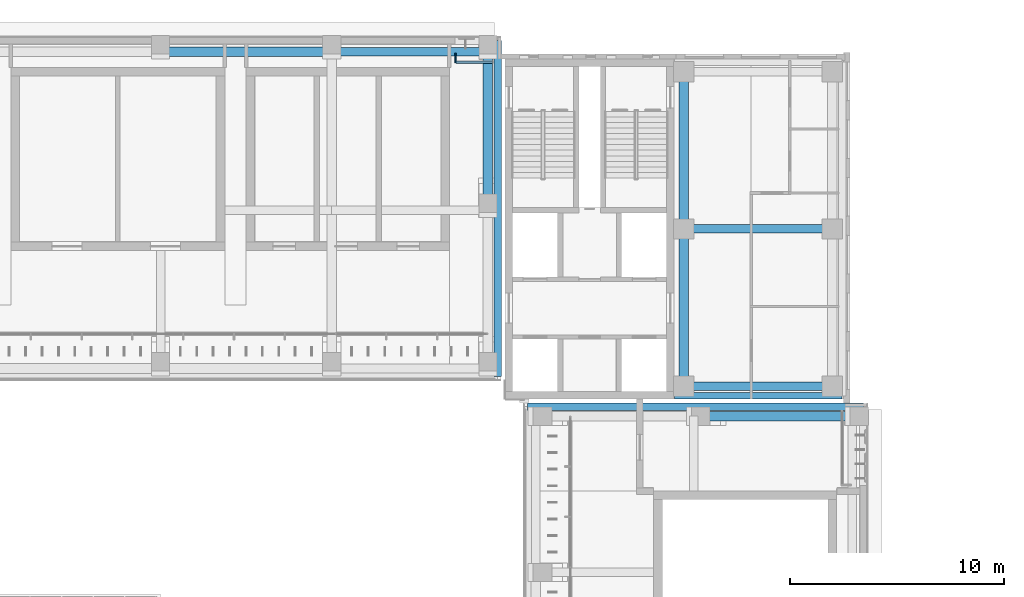
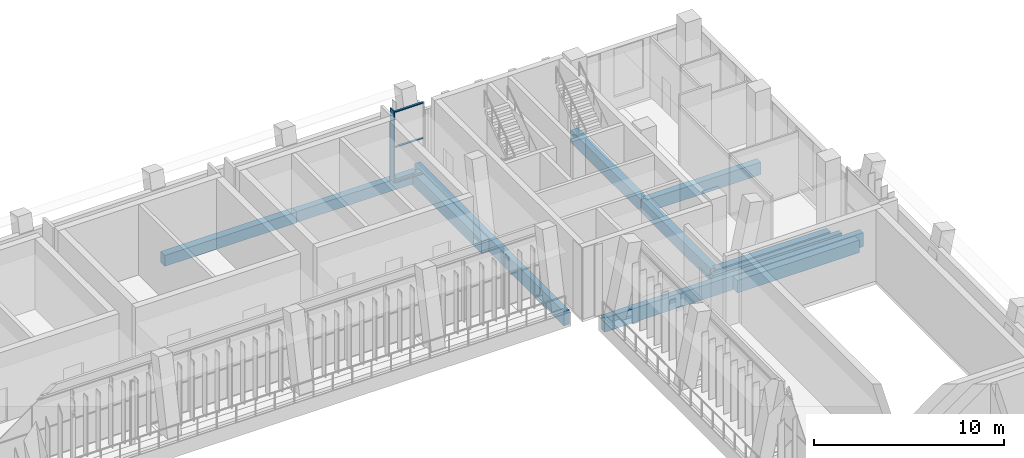
# One storey, part 48 of 92: 11 beams, 4 members, 1 element without a shape of its own.
"""IFC4 building model written with IfcOpenShell, lengths in metres."""

from ifc_helpers import new_model, si_unit, direction, frame, origin, origin_2d, place, context, subcontext, project, spatial, rectangle, extrude, material, material_profile, profile_set, type_object, element, aggregate, save


model = new_model("IFC4")

# Units and contexts
model_context = context("Model", 3, precision=1e-05, world=origin(), true_north=direction((0.0, 1.0)))
body_context = subcontext(model_context, "Body", "Model", "MODEL_VIEW")
ifc_project = project(units=[si_unit("LENGTHUNIT", "METRE"), si_unit("AREAUNIT", "SQUARE_METRE"), si_unit("VOLUMEUNIT", "CUBIC_METRE"), si_unit("PLANEANGLEUNIT", "RADIAN"), si_unit("MASSUNIT", "GRAM", prefix="KILO")], contexts=[model_context])

# Site, building, storey
site_placement = place(None, origin())
site = spatial("IfcSite", under=ifc_project, at=site_placement, CompositionType="ELEMENT")
building_placement = place(site_placement, origin())
building = spatial("IfcBuilding", under=site, at=building_placement, Name="Lantern Court Media Centre", CompositionType="ELEMENT")
storey_placement = place(building_placement, frame((0.0, 0.0, 4.800048828125)))
storey = spatial("IfcBuildingStorey", under=building, at=storey_placement, Name="L01", CompositionType="ELEMENT", Elevation=4.800048828125)

# Curtain wall, members
ifc_material_1 = material(Name="Curtain wall bay 3000")
curtain_wall_type = type_object("IfcCurtainWallType", Name="Curtain wall bay 3000", PredefinedType="NOTDEFINED", material=ifc_material_1)
curtain_wall_placement = place(storey_placement, origin())
curtain_wall = element("IfcCurtainWall", 1, at=curtain_wall_placement, inside=storey, type_object=curtain_wall_type, Name="Curtain wall N outer L01", PredefinedType="NOTDEFINED")
ifc_material_2 = material(Name="Anodised aluminium", Category="aluminium")
ifc_material_profile_1 = material_profile(ifc_material_2, rectangle(XDim=0.449951171875, YDim=0.06005859375, at=origin_2d()), Name="AL 60x450")
ifc_profile_set_1 = profile_set([ifc_material_profile_1], Name="Anodised aluminium")
member_type_1 = type_object("IfcMemberType", Name="Curtain wall mullion 60x450", PredefinedType="MULLION", material=ifc_profile_set_1)
member_1_placement = place(storey_placement, frame((77.780029296875, 112.044921875, 0.0), z_axis=(0.0, 0.0, 1.0), x_axis=(0.0, 1.0, 0.0)))
member_1 = element("IfcMember", 2, at=member_1_placement, type_object=member_type_1, Name="CW1 mullion 1", PredefinedType="MULLION", context=body_context, shape_type="SweptSolid", body=[
    extrude(rectangle(XDim=0.449951171875, YDim=0.06005859375, at=origin_2d()), origin(), (0.0, 0.0, 1.0), 4.579833984375),
])
ifc_material_profile_2 = material_profile(ifc_material_2, rectangle(XDim=0.1201171875, YDim=0.06005859375, at=origin_2d()), Name="AL 60x120")
ifc_profile_set_2 = profile_set([ifc_material_profile_2], Name="Anodised aluminium")
member_type_2 = type_object("IfcMemberType", Name="Curtain wall transom 60x120", PredefinedType="USERDEFINED", material=ifc_profile_set_2)
member_2_placement = place(storey_placement, frame((77.81005859375, 111.85009765625, 0.030029296875), z_axis=(1.0, 0.0, 0.0), x_axis=(0.0, 1.0, 0.0)))
member_2 = element("IfcMember", 3, at=member_2_placement, type_object=member_type_2, Name="CW1 transom 1.1", ObjectType="TRANSOM", PredefinedType="USERDEFINED", context=body_context, shape_type="SweptSolid", body=[
    extrude(rectangle(XDim=0.1201171875, YDim=0.06005859375, at=origin_2d()), origin(), (0.0, 0.0, 1.0), 1.7099609375),
])
member_3_placement = place(storey_placement, frame((77.81005859375, 111.85009765625, 2.2900390625), z_axis=(1.0, 0.0, 0.0), x_axis=(0.0, 1.0, 0.0)))
member_3 = element("IfcMember", 4, at=member_3_placement, type_object=member_type_2, Name="CW1 transom 1.2", ObjectType="TRANSOM", PredefinedType="USERDEFINED", context=body_context, shape_type="SweptSolid", body=[
    extrude(rectangle(XDim=0.1201171875, YDim=0.06005859375, at=origin_2d()), origin(), (0.0, 0.0, 1.0), 1.7099609375),
])
member_4_placement = place(storey_placement, frame((77.81005859375, 111.85009765625, 4.550048828125), z_axis=(1.0, 0.0, 0.0), x_axis=(0.0, 1.0, 0.0)))
member_4 = element("IfcMember", 5, at=member_4_placement, type_object=member_type_2, Name="CW1 transom 1.3", ObjectType="TRANSOM", PredefinedType="USERDEFINED", context=body_context, shape_type="SweptSolid", body=[
    extrude(rectangle(XDim=0.1201171875, YDim=0.06005859375, at=origin_2d()), origin(), (0.0, 0.0, 1.0), 1.7099609375),
])
aggregate(curtain_wall, [member_1, member_2, member_3, member_4])

# Beams
ifc_material_3 = material(Name="Concrete C35", Category="concrete")
ifc_material_profile_3 = material_profile(ifc_material_3, rectangle(XDim=0.300048828125, YDim=0.89990234375, at=origin_2d()), Name="RC 300x900")
ifc_profile_set_3 = profile_set([ifc_material_profile_3], Name="Concrete C35")
beam_type_1 = type_object("IfcBeamType", Name="RC BEAM 300x900", PredefinedType="BEAM", material=ifc_profile_set_3)
beam_1_placement = place(storey_placement, frame((88.02001953125, 96.25, -0.449951171875), z_axis=(1.0, 0.0, 0.0), x_axis=(0.0, 1.0, 0.0)))
element("IfcBeam", 6, at=beam_1_placement, inside=storey, type_object=beam_type_1, Name="EB-NE-L01-S", PredefinedType="BEAM", context=body_context, shape_type="SweptSolid", body=[
    extrude(rectangle(XDim=0.300048828125, YDim=0.89990234375, at=origin_2d()), origin(), (0.0, 0.0, 1.0), 7.830078125),
])
ifc_material_profile_4 = material_profile(ifc_material_3, rectangle(XDim=0.35009765625, YDim=0.89990234375, at=origin_2d()), Name="RC 350x900")
ifc_profile_set_4 = profile_set([ifc_material_profile_4], Name="Concrete C35")
beam_type_2 = type_object("IfcBeamType", Name="RC BEAM 350x900", PredefinedType="BEAM", material=ifc_profile_set_4)
for number, where, z_axis, x_axis, name in (
    (7, (79.75, 97.14990234375, -0.449951171875), (0.0, 1.0, 0.0), (-1.0, 0.0, 0.0), "EB-N-L01-D"),
    (8, (81.14990234375, 95.75, -0.449951171875), (1.0, 0.0, 0.0), (0.0, 1.0, 0.0), "EB-E-L01-D"),
):
    element("IfcBeam", number, at=place(storey_placement, frame(where, z_axis=z_axis, x_axis=x_axis)), inside=storey, type_object=beam_type_2, Name=name, PredefinedType="BEAM", context=body_context, shape_type="SweptSolid", body=[
        extrude(rectangle(XDim=0.35009765625, YDim=0.89990234375, at=origin_2d()), origin(), (0.0, 0.0, 1.0), 15.7001953125),
    ])
ifc_material_profile_5 = material_profile(ifc_material_3, rectangle(XDim=0.39990234375, YDim=0.699951171875, at=origin_2d()), Name="RC 400x700")
ifc_profile_set_5 = profile_set([ifc_material_profile_5], Name="Concrete C35")
beam_type_3 = type_object("IfcBeamType", Name="RC BEAM 400x700", PredefinedType="BEAM", material=ifc_profile_set_5)
beam_2_placement = place(storey_placement, frame((72.0, 112.3271484375, -0.35009765625), z_axis=(1.0, 0.0, 0.0), x_axis=(0.0, 1.0, 0.0)))
element("IfcBeam", 9, at=beam_2_placement, inside=storey, type_object=beam_type_3, Name="LB-N-L01-2-6", PredefinedType="BEAM", context=body_context, shape_type="SweptSolid", body=[
    extrude(rectangle(XDim=0.39990234375, YDim=0.699951171875, at=origin_2d()), origin(), (0.0, 0.0, 1.0), 7.300048828125),
])
ifc_material_profile_6 = material_profile(ifc_material_3, rectangle(XDim=0.39990234375, YDim=0.800048828125, at=origin_2d()), Name="RC 400x800")
ifc_profile_set_6 = profile_set([ifc_material_profile_6], Name="Concrete C35")
beam_type_4 = type_object("IfcBeamType", Name="RC BEAM 400x800", PredefinedType="BEAM", material=ifc_profile_set_6)
for number, where, z_axis, x_axis, name in (
    (10, (88.449951171875, 96.699951171875, -0.400146484375), (1.0, 0.0, 0.0), (0.0, 1.0, 0.0), "BB-NE-L01-Y0-96"),
    (11, (88.449951171875, 104.050048828125, -0.400146484375), (1.0, 0.0, 0.0), (0.0, 1.0, 0.0), "BB-NE-L01-Y0-104"),
):
    element("IfcBeam", number, at=place(storey_placement, frame(where, z_axis=z_axis, x_axis=x_axis)), inside=storey, type_object=beam_type_4, Name=name, PredefinedType="BEAM", context=body_context, shape_type="SweptSolid", body=[
        extrude(rectangle(XDim=0.39990234375, YDim=0.800048828125, at=origin_2d()), origin(), (0.0, 0.0, 1.0), 6.949951171875),
    ])
ifc_material_profile_7 = material_profile(ifc_material_3, rectangle(XDim=0.449951171875, YDim=0.699951171875, at=origin_2d()), Name="RC 450x700")
ifc_profile_set_7 = profile_set([ifc_material_profile_7], Name="Concrete C35")
beam_type_5 = type_object("IfcBeamType", Name="RC BEAM 450x700", PredefinedType="BEAM", material=ifc_profile_set_7)
beam_3_placement = place(storey_placement, frame((64.0, 112.3271484375, -0.35009765625), z_axis=(1.0, 0.0, 0.0), x_axis=(0.0, 1.0, 0.0)))
element("IfcBeam", 12, at=beam_3_placement, inside=storey, type_object=beam_type_5, Name="LB-N-L01-2-5", PredefinedType="BEAM", context=body_context, shape_type="SweptSolid", body=[
    extrude(rectangle(XDim=0.449951171875, YDim=0.699951171875, at=origin_2d()), origin(), (0.0, 0.0, 1.0), 8.0),
])
ifc_material_profile_8 = material_profile(ifc_material_3, rectangle(XDim=0.449951171875, YDim=0.800048828125, at=origin_2d()), Name="RC 450x800")
ifc_profile_set_8 = profile_set([ifc_material_profile_8], Name="Concrete C35")
beam_type_6 = type_object("IfcBeamType", Name="RC BEAM 450x800", PredefinedType="BEAM", material=ifc_profile_set_8)
beam_4_placement = place(storey_placement, frame((88.449951171875, 96.699951171875, -0.400146484375), z_axis=(0.0, 1.0, 0.0), x_axis=(-1.0, 0.0, 0.0)))
element("IfcBeam", 13, at=beam_4_placement, inside=storey, type_object=beam_type_6, Name="BB-NE-L01-X0-88", PredefinedType="BEAM", context=body_context, shape_type="SweptSolid", body=[
    extrude(rectangle(XDim=0.449951171875, YDim=0.800048828125, at=origin_2d()), origin(), (0.0, 0.0, 1.0), 7.35009765625),
])
beam_5_placement = place(storey_placement, frame((88.449951171875, 104.050048828125, -0.400146484375), z_axis=(0.0, 1.0, 0.0), x_axis=(-1.0, 0.0, 0.0)))
element("IfcBeam", 14, at=beam_5_placement, inside=storey, type_object=beam_type_6, Name="BB-NE-L01-X1-88", PredefinedType="BEAM", context=body_context, shape_type="SweptSolid", body=[
    extrude(rectangle(XDim=0.449951171875, YDim=0.800048828125, at=origin_2d()), origin(), (0.0, 0.0, 1.0), 7.349853515625),
])
for number, where, z_axis, x_axis, name in (
    (15, (79.300048828125, 104.916748046875, -0.400146484375), (0.0, 1.0, 0.0), (-1.0, 0.0, 0.0), "TB-N-L01-7-2"),
    (16, (88.916748046875, 95.300048828125, -0.400146484375), (1.0, 0.0, 0.0), (0.0, 1.0, 0.0), "TB-E-L01-4-2"),
):
    element("IfcBeam", number, at=place(storey_placement, frame(where, z_axis=z_axis, x_axis=x_axis)), inside=storey, type_object=beam_type_6, Name=name, PredefinedType="BEAM", context=body_context, shape_type="SweptSolid", body=[
        extrude(rectangle(XDim=0.449951171875, YDim=0.800048828125, at=origin_2d()), origin(), (0.0, 0.0, 1.0), 7.39990234375),
    ])

save(model, "model.ifc")
